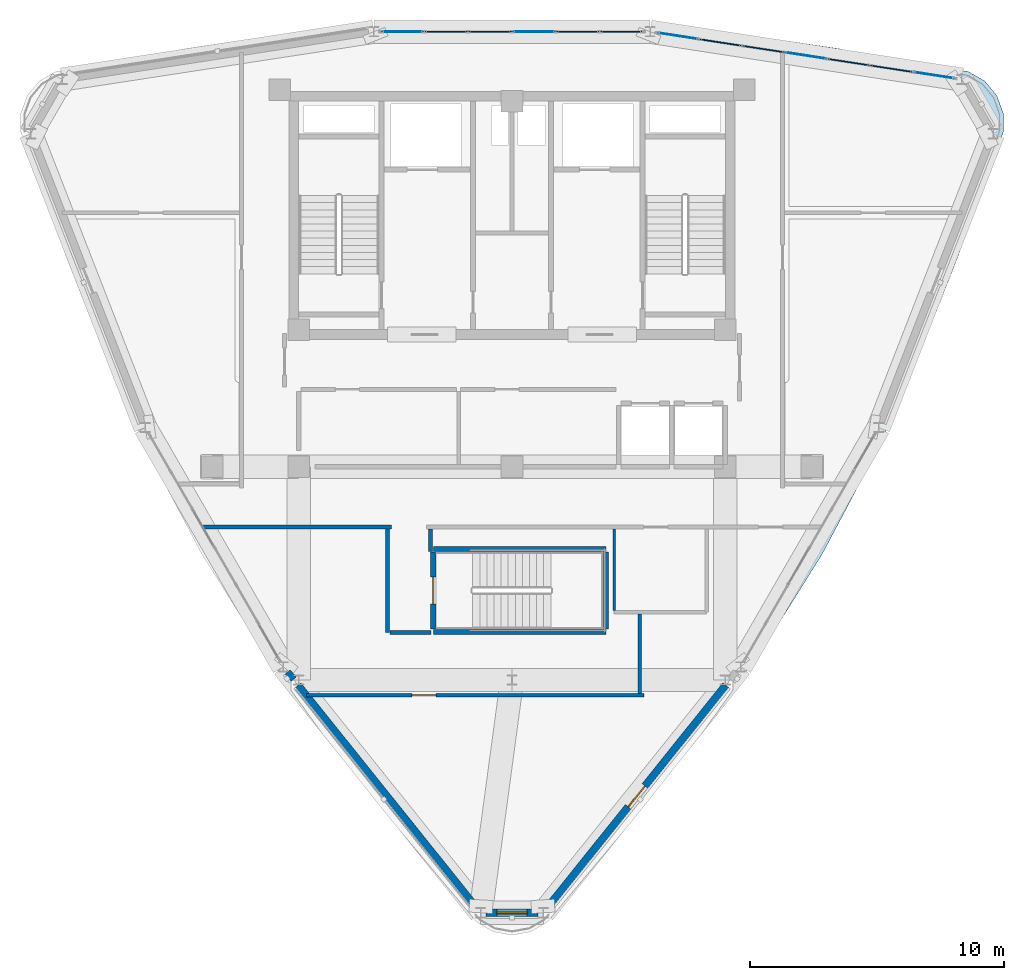
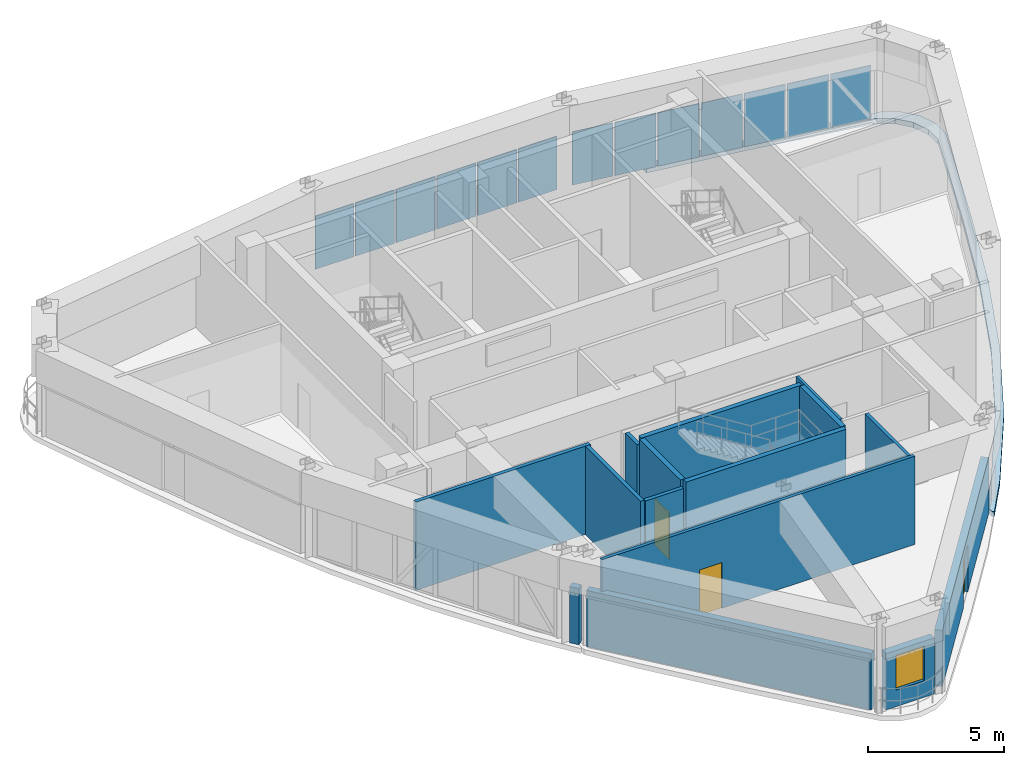
# One storey, part 12 of 16: 15 walls, 13 plates, 3 doors, 1 slab, 1 window, 4 openings, 2 elements without a shape of their own.
"""IFC4 building model written with IfcOpenShell, lengths in metres."""

from ifc_helpers import new_model, si_unit, derived_unit, direction, frame, frame_2d, origin, origin_2d, place, context, subcontext, project, spatial, polyline, rectangle, outline, extrude, source, transform, mapped, material, layer, layer_set, type_object, element, fill, aggregate, save


model = new_model("IFC4")

# Units and contexts
model_context = context("Model", 3, precision=1e-05, world=origin(), true_north=direction((0.0, 1.0)))
body_context = subcontext(model_context, "Body", "Model", "MODEL_VIEW")
ifc_project = project(units=[si_unit("LENGTHUNIT", "METRE"), si_unit("AREAUNIT", "SQUARE_METRE"), si_unit("VOLUMEUNIT", "CUBIC_METRE"), si_unit("PLANEANGLEUNIT", "RADIAN"), si_unit("MASSUNIT", "GRAM", prefix="KILO"), derived_unit("THERMALTRANSMITTANCEUNIT", [(si_unit("POWERUNIT", "WATT"), 1), (si_unit("LENGTHUNIT", "METRE"), -2), (si_unit("THERMODYNAMICTEMPERATUREUNIT", "KELVIN"), -1)])], contexts=[model_context])

# Site, building, storey
site_placement = place(None, origin())
site = spatial("IfcSite", under=ifc_project, at=site_placement, CompositionType="ELEMENT")
building_placement = place(site_placement, origin())
building = spatial("IfcBuilding", under=site, at=building_placement, Name="Korsvarv Bourse and Concert Hall", CompositionType="ELEMENT")
storey_placement = place(building_placement, frame((0.0, 0.0, 283.800048828125)))
storey = spatial("IfcBuildingStorey", under=building, at=storey_placement, Name="L74", CompositionType="ELEMENT", Elevation=283.800048828125)

# Slab
ifc_material_1 = material(Name="Concrete C45/55", Category="concrete")
ifc_layer_1 = layer(ifc_material_1, 0.22998046875)
ifc_layer_set_1 = layer_set([ifc_layer_1], Name="Concrete C45/55")
slab_type = type_object("IfcSlabType", Name="SLB-SKY", PredefinedType="FLOOR", material=ifc_layer_set_1)
slab_placement = place(storey_placement, frame((0.0, 0.0, -0.22998046875)))
element("IfcSlab", 1, at=slab_placement, inside=storey, type_object=slab_type, Name="L74 Crescent Sky Garden Terrace 2", PredefinedType="FLOOR", context=body_context, shape_type="SweptSolid", body=[
    extrude(outline(polyline([(45.72412109375, 25.58837890625), (45.724609375, 25.5888671875), (47.927734375, 29.1123046875), (47.92822265625, 29.11328125), (47.9287109375, 29.114013671875), (49.87841796875, 32.783935546875), (49.87890625, 32.78466796875), (49.879150390625, 32.785400390625), (51.59912109375, 36.599365234375), (51.59912109375, 36.599609375), (51.599609375, 36.6005859375), (53.14599609375, 40.534423828125), (53.146240234375, 40.53466796875), (53.146484375, 40.53515625), (54.602783203125, 44.546142578125), (54.90185546875, 45.367431640625), (54.902099609375, 45.367919921875), (54.90234375, 45.369384765625), (54.902587890625, 45.3701171875), (54.902587890625, 45.37158203125), (54.902587890625, 45.3720703125), (54.902587890625, 46.089599609375), (54.902587890625, 46.090087890625), (54.902587890625, 46.091552734375), (54.90234375, 46.092529296875), (54.902099609375, 46.09375), (54.90185546875, 46.094482421875), (54.656494140625, 46.7685546875), (54.65625, 46.76904296875), (54.655517578125, 46.770263671875), (54.655029296875, 46.77099609375), (54.654296875, 46.772216796875), (54.654052734375, 46.772705078125), (54.19287109375, 47.322265625), (54.1923828125, 47.32275390625), (54.19140625, 47.323486328125), (54.19091796875, 47.32421875), (54.189697265625, 47.324951171875), (54.189208984375, 47.3251953125), (53.56787109375, 47.68408203125), (53.5673828125, 47.684326171875), (53.566162109375, 47.684814453125), (53.565185546875, 47.685302734375), (53.56396484375, 47.685546875), (53.563232421875, 47.685791015625), (52.703369140625, 47.83740234375), (48.50048828125, 48.58154296875), (48.50048828125, 48.58154296875), (48.5, 48.581787109375), (44.751220703125, 49.14453125), (44.7451171875, 49.145751953125), (44.7392578125, 49.147705078125), (44.733642578125, 49.14990234375), (44.728515625, 49.153076171875), (44.723388671875, 49.156494140625), (44.71875, 49.160400390625), (44.714599609375, 49.164794921875), (44.710693359375, 49.169677734375), (44.70751953125, 49.1748046875), (44.704833984375, 49.18017578125), (44.702880859375, 49.185791015625), (44.701171875, 49.19189453125), (44.7001953125, 49.197998046875), (44.699951171875, 49.203857421875), (44.699951171875, 49.426513671875), (44.7001953125, 49.43212890625), (44.701171875, 49.437744140625), (44.702392578125, 49.443359375), (44.704345703125, 49.44873046875), (44.706787109375, 49.453857421875), (44.709716796875, 49.458984375), (44.712890625, 49.463623046875), (44.716796875, 49.468017578125), (44.720703125, 49.4716796875), (44.725341796875, 49.475341796875), (44.730224609375, 49.478515625), (44.7353515625, 49.48095703125), (44.740478515625, 49.483154296875), (44.74609375, 49.484619140625), (44.751708984375, 49.48583984375), (44.757568359375, 49.486328125), (44.76318359375, 49.486328125), (44.768798828125, 49.485595703125), (48.78955078125, 48.882080078125), (48.791259765625, 48.8818359375), (53.090576171875, 48.120361328125), (53.964111328125, 47.96630859375), (53.96923828125, 47.965087890625), (53.974365234375, 47.963623046875), (53.97900390625, 47.961669921875), (53.98388671875, 47.959228515625), (54.6083984375, 47.5986328125), (54.61279296875, 47.595703125), (54.616943359375, 47.592529296875), (54.620849609375, 47.589111328125), (54.62451171875, 47.585205078125), (55.088134765625, 47.032470703125), (55.09130859375, 47.0283203125), (55.093994140625, 47.02392578125), (55.096435546875, 47.019287109375), (55.098388671875, 47.014404296875), (55.34521484375, 46.336669921875), (55.346923828125, 46.331787109375), (55.347900390625, 46.326416015625), (55.3486328125, 46.3212890625), (55.348876953125, 46.316162109375), (55.348876953125, 45.5947265625), (55.3486328125, 45.589599609375), (55.347900390625, 45.58447265625), (55.346923828125, 45.5791015625), (55.34521484375, 45.57421875), (55.04150390625, 44.739990234375), (53.551513671875, 40.636474609375), (53.551025390625, 40.635009765625), (51.968994140625, 36.611083984375), (51.968017578125, 36.6083984375), (50.208984375, 32.707763671875), (50.207275390625, 32.7041015625), (48.213134765625, 28.951171875), (48.211181640625, 28.947509765625), (45.9580078125, 25.343994140625), (45.955810546875, 25.3408203125), (44.80859375, 23.74609375), (44.80517578125, 23.74169921875), (44.801025390625, 23.7373046875), (44.796630859375, 23.733642578125), (44.7919921875, 23.730224609375), (44.786865234375, 23.7275390625), (44.781494140625, 23.72509765625), (44.77587890625, 23.723388671875), (44.770263671875, 23.721923828125), (44.764404296875, 23.72119140625), (44.7587890625, 23.72119140625), (44.7529296875, 23.7216796875), (44.747314453125, 23.722412109375), (44.74169921875, 23.72412109375), (44.736083984375, 23.72607421875), (44.73095703125, 23.728759765625), (44.72607421875, 23.731689453125), (44.721435546875, 23.735107421875), (44.717041015625, 23.7392578125), (44.71337890625, 23.743408203125), (44.709716796875, 23.748291015625), (44.706787109375, 23.753173828125), (44.704345703125, 23.758544921875), (44.702392578125, 23.763916015625), (44.701171875, 23.76953125), (44.7001953125, 23.775390625), (44.699951171875, 23.78125), (44.699951171875, 24.145263671875), (44.7001953125, 24.151611328125), (44.701416015625, 24.15771484375), (44.702880859375, 24.163818359375), (44.705078125, 24.16943359375), (44.7080078125, 24.175048828125), (44.711181640625, 24.180419921875), (45.7236328125, 25.587646484375), (45.72412109375, 25.58837890625)])), origin(), (0.0, 0.0, 1.0), 0.22998046875),
])

# Curtain wall, plates
ifc_material_2 = material(Name="Anodised aluminium and triple low-E glazing", Category="glass")
ifc_layer_2 = layer(ifc_material_2, 0.18994140625)
ifc_layer_set_2 = layer_set([ifc_layer_2], Name="Anodised aluminium and triple low-E glazing")
curtain_wall_type = type_object("IfcCurtainWallType", Name="CW-SYS-4", PredefinedType="NOTDEFINED", material=ifc_layer_set_2)
curtain_wall_1_placement = place(storey_placement, origin())
curtain_wall_1 = element("IfcCurtainWall", 2, at=curtain_wall_1_placement, inside=storey, type_object=curtain_wall_type, Name="L74 CW4 curtain wall CW-L74-F02", PredefinedType="NOTDEFINED")
ifc_material_3 = material(Name="Insulated spandrel glass", Category="glass")
ifc_layer_3 = layer(ifc_material_3, 0.031982421875)
ifc_layer_set_3 = layer_set([ifc_layer_3], Name="Insulated spandrel glass")
plate_type_1 = type_object("IfcPlateType", Name="CWP-SPD1", PredefinedType="CURTAIN_PANEL", material=ifc_layer_set_3)
shared_shape_1 = source(origin(), body_context, "Body", "SweptSolid", [
    extrude(rectangle(XDim=1.596435546875, YDim=0.031982421875, at=origin_2d()), origin(), (0.0, 0.0, 1.0), 2.389892578125),
])
plate_1_placement = place(storey_placement, frame((52.60498046875, 47.8232421875, 0.06494140625), z_axis=(0.0, 0.0, 1.0), x_axis=(-0.988437220146, 0.151630675756, 0.0)))
plate_1 = element("IfcPlate", 3, at=plate_1_placement, type_object=plate_type_1, Name="CW4 spandrel shadow-box panel 1.1", PredefinedType="CURTAIN_PANEL", context=body_context, shape_type="MappedRepresentation", body=[
    mapped(shared_shape_1, transform((0.0, 0.0, 0.0), scale=1.0)),
])
plate_2_placement = place(storey_placement, frame((42.548583984375, 49.365966796875, 0.06494140625), z_axis=(0.0, 0.0, 1.0), x_axis=(-0.988437220146, 0.151630675756, 0.0)))
plate_2 = element("IfcPlate", 4, at=plate_2_placement, type_object=plate_type_1, Name="CW4 spandrel shadow-box panel 7.1", PredefinedType="CURTAIN_PANEL", context=body_context, shape_type="MappedRepresentation", body=[
    mapped(shared_shape_1, transform((0.0, 0.0, 0.0), scale=1.0)),
])
ifc_material_4 = material(Name="Tempered triple insulated low-E architectural glass", Category="glass")
ifc_layer_4 = layer(ifc_material_4, 0.0419921875)
ifc_layer_set_4 = layer_set([ifc_layer_4], Name="Tempered triple insulated low-E architectural glass")
plate_type_2 = type_object("IfcPlateType", Name="CWP-VIS3", PredefinedType="CURTAIN_PANEL", material=ifc_layer_set_4)
shared_shape_2 = source(origin(), body_context, "Body", "SweptSolid", [
    extrude(rectangle(XDim=1.631591796875, YDim=0.0419921875, at=origin_2d()), origin(), (0.0, 0.0, 1.0), 2.389892578125),
])
plate_3_placement = place(storey_placement, frame((50.9404296875, 48.07861328125, 0.06494140625), z_axis=(0.0, 0.0, 1.0), x_axis=(-0.988437220146, 0.151630675756, 0.0)))
plate_3 = element("IfcPlate", 5, at=plate_3_placement, type_object=plate_type_2, Name="CW4 faceted panel 2.1", PredefinedType="CURTAIN_PANEL", context=body_context, shape_type="MappedRepresentation", body=[
    mapped(shared_shape_2, transform((0.0, 0.0, 0.0), scale=1.0)),
])
plate_4_placement = place(storey_placement, frame((49.258544921875, 48.33642578125, 0.06494140625), z_axis=(0.0, 0.0, 1.0), x_axis=(-0.988437220146, 0.151630675756, 0.0)))
plate_4 = element("IfcPlate", 6, at=plate_4_placement, type_object=plate_type_2, Name="CW4 faceted panel 3.1", PredefinedType="CURTAIN_PANEL", context=body_context, shape_type="MappedRepresentation", body=[
    mapped(shared_shape_2, transform((0.0, 0.0, 0.0), scale=1.0)),
])
plate_5_placement = place(storey_placement, frame((45.89501953125, 48.8525390625, 0.06494140625), z_axis=(0.0, 0.0, 1.0), x_axis=(-0.988437220146, 0.151630675756, 0.0)))
plate_5 = element("IfcPlate", 7, at=plate_5_placement, type_object=plate_type_2, Name="CW4 faceted panel 5.1", PredefinedType="CURTAIN_PANEL", context=body_context, shape_type="MappedRepresentation", body=[
    mapped(shared_shape_2, transform((0.0, 0.0, 0.0), scale=1.0)),
])
plate_6_placement = place(storey_placement, frame((44.213134765625, 49.110595703125, 0.06494140625), z_axis=(0.0, 0.0, 1.0), x_axis=(-0.988437220146, 0.151630675756, 0.0)))
plate_6 = element("IfcPlate", 8, at=plate_6_placement, type_object=plate_type_2, Name="CW4 faceted panel 6.1", PredefinedType="CURTAIN_PANEL", context=body_context, shape_type="MappedRepresentation", body=[
    mapped(shared_shape_2, transform((0.0, 0.0, 0.0), scale=1.0)),
])
shared_shape_3 = source(origin(), body_context, "Body", "SweptSolid", [
    extrude(rectangle(XDim=1.631591796875, YDim=0.031982421875, at=origin_2d()), origin(), (0.0, 0.0, 1.0), 2.389892578125),
])
plate_7_placement = place(storey_placement, frame((47.576904296875, 48.594482421875, 0.06494140625), z_axis=(0.0, 0.0, 1.0), x_axis=(-0.988437220146, 0.151630675756, 0.0)))
plate_7 = element("IfcPlate", 9, at=plate_7_placement, type_object=plate_type_1, Name="CW4 spandrel shadow-box panel 4.1", PredefinedType="CURTAIN_PANEL", context=body_context, shape_type="MappedRepresentation", body=[
    mapped(shared_shape_3, transform((0.0, 0.0, 0.0), scale=1.0)),
])
aggregate(curtain_wall_1, [plate_1, plate_3, plate_4, plate_7, plate_5, plate_6, plate_2])

curtain_wall_2_placement = place(storey_placement, origin())
curtain_wall_2 = element("IfcCurtainWall", 10, at=curtain_wall_2_placement, inside=storey, type_object=curtain_wall_type, Name="L74 CW4 curtain wall CW-L74-F03", PredefinedType="NOTDEFINED")
shared_shape_4 = source(origin(), body_context, "Body", "SweptSolid", [
    extrude(rectangle(XDim=1.624755859375, YDim=0.0419921875, at=origin_2d()), origin(), (0.0, 0.0, 1.0), 2.389892578125),
])
plate_8_placement = place(storey_placement, frame((40.306884765625, 49.535888671875, 0.06494140625), z_axis=(0.0, 0.0, 1.0), x_axis=(-1.0, 0.0, 0.0)))
plate_8 = element("IfcPlate", 11, at=plate_8_placement, type_object=plate_type_2, Name="CW4 faceted panel 1.1", PredefinedType="CURTAIN_PANEL", context=body_context, shape_type="MappedRepresentation", body=[
    mapped(shared_shape_4, transform((0.0, 0.0, 0.0), scale=1.0)),
])
shared_shape_5 = source(origin(), body_context, "Body", "SweptSolid", [
    extrude(rectangle(XDim=1.659912109375, YDim=0.0419921875, at=origin_2d()), origin(), (0.0, 0.0, 1.0), 2.389892578125),
])
plate_9_placement = place(storey_placement, frame((38.5947265625, 49.535888671875, 0.06494140625), z_axis=(0.0, 0.0, 1.0), x_axis=(-1.0, 0.0, 0.0)))
plate_9 = element("IfcPlate", 12, at=plate_9_placement, type_object=plate_type_2, Name="CW4 faceted panel 2.1", PredefinedType="CURTAIN_PANEL", context=body_context, shape_type="MappedRepresentation", body=[
    mapped(shared_shape_5, transform((0.0, 0.0, 0.0), scale=1.0)),
])
plate_10_placement = place(storey_placement, frame((35.135009765625, 49.535888671875, 0.06494140625), z_axis=(0.0, 0.0, 1.0), x_axis=(-1.0, 0.0, 0.0)))
plate_10 = element("IfcPlate", 13, at=plate_10_placement, type_object=plate_type_2, Name="CW4 faceted panel 4.1", PredefinedType="CURTAIN_PANEL", context=body_context, shape_type="MappedRepresentation", body=[
    mapped(shared_shape_5, transform((0.0, 0.0, 0.0), scale=1.0)),
])
plate_11_placement = place(storey_placement, frame((33.4052734375, 49.535888671875, 0.06494140625), z_axis=(0.0, 0.0, 1.0), x_axis=(-1.0, 0.0, 0.0)))
plate_11 = element("IfcPlate", 14, at=plate_11_placement, type_object=plate_type_2, Name="CW4 faceted panel 5.1", PredefinedType="CURTAIN_PANEL", context=body_context, shape_type="MappedRepresentation", body=[
    mapped(shared_shape_5, transform((0.0, 0.0, 0.0), scale=1.0)),
])
shared_shape_6 = source(origin(), body_context, "Body", "SweptSolid", [
    extrude(rectangle(XDim=1.659912109375, YDim=0.031982421875, at=origin_2d()), origin(), (0.0, 0.0, 1.0), 2.389892578125),
])
plate_12_placement = place(storey_placement, frame((36.864990234375, 49.535888671875, 0.06494140625), z_axis=(0.0, 0.0, 1.0), x_axis=(-1.0, 0.0, 0.0)))
plate_12 = element("IfcPlate", 15, at=plate_12_placement, type_object=plate_type_1, Name="CW4 spandrel shadow-box panel 3.1", PredefinedType="CURTAIN_PANEL", context=body_context, shape_type="MappedRepresentation", body=[
    mapped(shared_shape_6, transform((0.0, 0.0, 0.0), scale=1.0)),
])
shared_shape_7 = source(origin(), body_context, "Body", "SweptSolid", [
    extrude(rectangle(XDim=1.624755859375, YDim=0.031982421875, at=origin_2d()), origin(), (0.0, 0.0, 1.0), 2.389892578125),
])
plate_13_placement = place(storey_placement, frame((31.693115234375, 49.535888671875, 0.06494140625), z_axis=(0.0, 0.0, 1.0), x_axis=(-1.0, 0.0, 0.0)))
plate_13 = element("IfcPlate", 16, at=plate_13_placement, type_object=plate_type_1, Name="CW4 spandrel shadow-box panel 6.1", PredefinedType="CURTAIN_PANEL", context=body_context, shape_type="MappedRepresentation", body=[
    mapped(shared_shape_7, transform((0.0, 0.0, 0.0), scale=1.0)),
])
aggregate(curtain_wall_2, [plate_8, plate_9, plate_12, plate_10, plate_11, plate_13])

# Walls
ifc_material_5 = material(Name="Concrete C50/60", Category="concrete")
ifc_layer_5 = layer(ifc_material_5, 0.3798828125)
ifc_layer_set_5 = layer_set([ifc_layer_5], Name="Concrete C50/60")
wall_type_1 = type_object("IfcWallType", Name="WL-CORE-380", PredefinedType="SHEAR", material=ifc_layer_set_5)
for number, where, z_axis, x_axis, name in (
    (17, (32.89990234375, 29.159912109375, 0.0), (0.0, 0.0, 1.0), (1.0, 0.0, 0.0), "L74 Lookout Stair North Bearing Wall"),
    (18, (32.89990234375, 25.89990234375, 0.0), (0.0, 0.0, 1.0), (1.0, 0.0, 0.0), "L74 Lookout Stair South Bearing Wall"),
):
    element("IfcWall", number, at=place(storey_placement, frame(where, z_axis=z_axis, x_axis=x_axis)), inside=storey, type_object=wall_type_1, Name=name, PredefinedType="SHEAR", context=body_context, shape_type="SweptSolid", body=[
        extrude(rectangle(XDim=6.800048828125, YDim=0.199951171875, at=frame_2d((3.39990234375, 0.0))), origin(), (0.0, 0.0, 1.0), 4.199951171875),
    ])
wall_1_placement = place(storey_placement, frame((39.699951171875, 26.02001953125, 0.0), z_axis=(0.0, 0.0, 1.0), x_axis=(0.0, 1.0, 0.0)))
element("IfcWall", 19, at=wall_1_placement, inside=storey, type_object=wall_type_1, Name="L74 Lookout Stair East Bearing Wall", PredefinedType="SHEAR", context=body_context, shape_type="SweptSolid", body=[
    extrude(rectangle(XDim=3.02001953125, YDim=0.199951171875, at=frame_2d((1.510009765625, 0.0))), origin(), (0.0, 0.0, 1.0), 4.199951171875),
])

# Wall, opening, door
wall_2_placement = place(storey_placement, frame((32.89990234375, 26.02001953125, 0.0), z_axis=(0.0, 0.0, 1.0), x_axis=(0.0, 1.0, 0.0)))
wall_2 = element("IfcWall", 20, at=wall_2_placement, inside=storey, type_object=wall_type_1, Name="L74 stair shaft structural wall W-L74-STLK-W", PredefinedType="SHEAR", context=body_context, shape_type="SweptSolid", body=[
    extrude(rectangle(XDim=3.02001953125, YDim=0.199951171875, at=frame_2d((1.510009765625, 0.0))), origin(), (0.0, 0.0, 1.0), 4.199951171875),
])
opening_1_placement = place(wall_2_placement, frame((0.97998046875, 0.0, 0.0)))
opening_1 = element("IfcOpeningElement", 21, at=opening_1_placement, cuts=wall_2, Name="Opening D-01", PredefinedType="OPENING", context=body_context, shape_type="SweptSolid", body=[
    extrude(rectangle(XDim=1.050048828125, YDim=2.10009765625, at=frame_2d((0.52490234375, 1.050048828125))), frame((0.0, 0.10986328125, 0.0), z_axis=(0.0, -1.0, 0.0), x_axis=(1.0, 0.0, 0.0)), (0.0, 0.0, 1.0), 0.219970703125),
])
ifc_material_6 = material(Name="Steel S355 fire door", Category="steel")
door_type_1 = type_object("IfcDoorType", Name="DR-FD60", OperationType="NOTDEFINED", PredefinedType="DOOR", material=ifc_material_6)
door_1_placement = place(opening_1_placement, frame((1.050048828125, 0.0, 0.0), z_axis=(0.0, 0.0, 1.0), x_axis=(-1.0, 0.0, 0.0)))
door_1 = element("IfcDoor", 22, at=door_1_placement, inside=storey, type_object=door_type_1, Name="L74 interior door DR-L74-STLK", OperationType="SINGLE_SWING_LEFT", OverallHeight=2.10009765625, OverallWidth=1.050048828125, PredefinedType="DOOR", context=body_context, shape_type="SweptSolid", body=[
    extrude(rectangle(XDim=1.050048828125, YDim=2.10009765625, at=frame_2d((0.52490234375, 1.050048828125))), frame((0.0, 0.02490234375, 0.0), z_axis=(0.0, -1.0, 0.0), x_axis=(1.0, 0.0, 0.0)), (0.0, 0.0, 1.0), 0.050048828125),
])
fill(opening_1, door_1)

# Wall, opening, window
ifc_material_7 = material(Name="Precast concrete C45/55 with terracotta rainscreen", Category="concrete")
ifc_layer_6 = layer(ifc_material_7, 0.300048828125)
ifc_layer_set_6 = layer_set([ifc_layer_6], Name="Precast concrete C45/55 with terracotta rainscreen")
wall_type_2 = type_object("IfcWallType", Name="WL-EXT-TC1", PredefinedType="SOLIDWALL", material=ifc_layer_set_6)
wall_3_placement = place(storey_placement, frame((34.970458984375, 14.8330078125, 0.0), z_axis=(0.0, 0.0, 1.0), x_axis=(1.0, 0.0, 0.0)))
wall_3 = element("IfcWall", 23, at=wall_3_placement, inside=storey, type_object=wall_type_2, Name="L74 terracotta exterior wall EW-L74-B09", PredefinedType="SOLIDWALL", context=body_context, shape_type="SweptSolid", body=[
    extrude(rectangle(XDim=2.05908203125, YDim=0.300048828125, at=frame_2d((1.029541015625, 0.0))), origin(), (0.0, 0.0, 1.0), 2.52001953125),
])
opening_2_placement = place(wall_3_placement, frame((0.429443359375, 0.0, 0.75)))
opening_2 = element("IfcOpeningElement", 24, at=opening_2_placement, cuts=wall_3, Name="Opening W-16", PredefinedType="OPENING", context=body_context, shape_type="SweptSolid", body=[
    extrude(rectangle(XDim=1.199951171875, YDim=1.550048828125, at=frame_2d((0.60009765625, 0.77490234375))), frame((0.0, 0.16015625, 0.0), z_axis=(0.0, -1.0, 0.0), x_axis=(1.0, 0.0, 0.0)), (0.0, 0.0, 1.0), 0.320068359375),
])
ifc_material_8 = material(Name="Thermally broken aluminium frame with triple low-E glass", Category="glass")
window_type = type_object("IfcWindowType", Name="WIN-TW2-1200X1550", PartitioningType="SINGLE_PANEL", PredefinedType="WINDOW", material=ifc_material_8)
window_placement = place(opening_2_placement, origin())
window = element("IfcWindow", 25, at=window_placement, inside=storey, type_object=window_type, Name="L74 punched facade window W-16", OverallHeight=1.550048828125, OverallWidth=1.199951171875, PartitioningType="SINGLE_PANEL", PredefinedType="WINDOW", context=body_context, shape_type="SweptSolid", body=[
    extrude(rectangle(XDim=1.199951171875, YDim=1.550048828125, at=frame_2d((0.60009765625, 0.77490234375))), frame((0.0, 0.030029296875, 0.0), z_axis=(0.0, -1.0, 0.0), x_axis=(1.0, 0.0, 0.0)), (0.0, 0.0, 1.0), 0.06005859375),
])
fill(opening_2, window)

# Wall, opening, door
wall_4_placement = place(storey_placement, frame((37.39892578125, 15.037353515625, 0.0), z_axis=(0.0, 0.0, 1.0), x_axis=(0.625538111049, 0.780193611628, 0.0)))
wall_4 = element("IfcWall", 26, at=wall_4_placement, inside=storey, type_object=wall_type_2, Name="L74 terracotta exterior wall EW-L74-B10-1", PredefinedType="SOLIDWALL", context=body_context, shape_type="SweptSolid", body=[
    extrude(rectangle(XDim=11.2255859375, YDim=0.300048828125, at=frame_2d((5.61279296875, 0.0))), origin(), (0.0, 0.0, 1.0), 2.52001953125),
])
opening_3_placement = place(wall_4_placement, frame((5.087646484375, 0.0, 0.0)))
opening_3 = element("IfcOpeningElement", 27, at=opening_3_placement, cuts=wall_4, Name="Opening ED-02", PredefinedType="OPENING", context=body_context, shape_type="SweptSolid", body=[
    extrude(rectangle(XDim=1.050048828125, YDim=2.10009765625, at=frame_2d((0.52490234375, 1.050048828125))), frame((0.0, 0.16015625, 0.0), z_axis=(0.0, -1.0, 0.0), x_axis=(1.0, 0.0, 0.0)), (0.0, 0.0, 1.0), 0.320068359375),
])
ifc_material_9 = material(Name="Thermally broken anodised aluminium and laminated safety glass", Category="aluminium")
door_type_2 = type_object("IfcDoorType", Name="DR-EXT-TERR", OperationType="NOTDEFINED", PredefinedType="DOOR", material=ifc_material_9)
door_2_placement = place(opening_3_placement, frame((1.050048828125, 0.0, 0.0), z_axis=(0.0, 0.0, 1.0), x_axis=(-1.0, 0.0, 0.0)))
door_2 = element("IfcDoor", 28, at=door_2_placement, inside=storey, type_object=door_type_2, Name="L74 Sky Garden Terrace Access Door", OperationType="SINGLE_SWING_LEFT", OverallHeight=2.10009765625, OverallWidth=1.050048828125, PredefinedType="DOOR", context=body_context, shape_type="SweptSolid", body=[
    extrude(rectangle(XDim=1.050048828125, YDim=2.10009765625, at=frame_2d((0.52490234375, 1.050048828125))), frame((0.0, 0.02490234375, 0.0), z_axis=(0.0, -1.0, 0.0), x_axis=(1.0, 0.0, 0.0)), (0.0, 0.0, 1.0), 0.050048828125),
])
fill(opening_3, door_2)

# Walls
ifc_material_10 = material(Name="Precast concrete C45/55 with fluted terracotta pier", Category="concrete")
ifc_layer_7 = layer(ifc_material_10, 0.280029296875)
ifc_layer_set_7 = layer_set([ifc_layer_7], Name="Precast concrete C45/55 with fluted terracotta pier")
wall_type_3 = type_object("IfcWallType", Name="WL-EXT-TC2", PredefinedType="SOLIDWALL", material=ifc_layer_set_7)
wall_5_placement = place(storey_placement, frame((27.16162109375, 24.31640625, 0.0), z_axis=(0.0, 0.0, 1.0), x_axis=(0.625494298598, -0.780228737244, 0.0)))
element("IfcWall", 29, at=wall_5_placement, inside=storey, type_object=wall_type_3, Name="L74 terracotta exterior wall EW-L74-B08-1", PredefinedType="SOLIDWALL", context=body_context, shape_type="SweptSolid", body=[
    extrude(rectangle(XDim=0.372314453125, YDim=0.280029296875, at=frame_2d((0.18603515625, 0.0))), origin(), (0.0, 0.0, 1.0), 2.52001953125),
])
wall_6_placement = place(storey_placement, frame((27.5791015625, 23.79541015625, 0.0), z_axis=(0.0, 0.0, 1.0), x_axis=(0.625538111049, -0.780193611628, 0.0)))
element("IfcWall", 30, at=wall_6_placement, inside=storey, type_object=wall_type_3, Name="L74 terracotta exterior wall EW-L74-B08-2", PredefinedType="SOLIDWALL", context=body_context, shape_type="SweptSolid", body=[
    extrude(rectangle(XDim=11.2255859375, YDim=0.280029296875, at=frame_2d((5.61279296875, 0.0))), origin(), (0.0, 0.0, 1.0), 2.52001953125),
])
ifc_material_11 = material(Name="Double-stud fire-rated acoustic partition", Category="gypsum")
ifc_layer_8 = layer(ifc_material_11, 0.159912109375)
ifc_layer_set_8 = layer_set([ifc_layer_8], Name="Double-stud fire-rated acoustic partition")
wall_type_4 = type_object("IfcWallType", Name="WL-INT-EI60", PredefinedType="PARTITIONING", material=ifc_layer_set_8)
wall_7_placement = place(storey_placement, frame((23.839599609375, 30.02490234375, 0.0), z_axis=(0.0, 0.0, 1.0), x_axis=(1.0, 0.0, 0.0)))
element("IfcWall", 31, at=wall_7_placement, inside=storey, type_object=wall_type_4, Name="L74 interior partition wall W-L74-LKCOR-04", PredefinedType="PARTITIONING", context=body_context, shape_type="SweptSolid", body=[
    extrude(rectangle(XDim=7.42041015625, YDim=0.159912109375, at=frame_2d((3.710205078125, 0.0))), origin(), (0.0, 0.0, 1.0), 3.9599609375),
])
wall_8_placement = place(storey_placement, frame((31.10498046875, 25.8701171875, 0.0), z_axis=(0.0, 0.0, 1.0), x_axis=(0.0, 1.0, 0.0)))
element("IfcWall", 32, at=wall_8_placement, inside=storey, type_object=wall_type_4, Name="L74 interior partition wall W-L74-LKCOR-05", PredefinedType="PARTITIONING", context=body_context, shape_type="SweptSolid", body=[
    extrude(rectangle(XDim=4.072998046875, YDim=0.159912109375, at=frame_2d((2.03662109375, 0.0))), origin(), (0.0, 0.0, 1.0), 3.9599609375),
])
wall_9_placement = place(storey_placement, frame((31.18701171875, 25.875, 0.0), z_axis=(0.0, 0.0, 1.0), x_axis=(1.0, 0.0, 0.0)))
element("IfcWall", 33, at=wall_9_placement, inside=storey, type_object=wall_type_4, Name="L74 interior partition wall W-L74-LKCOR-08", PredefinedType="PARTITIONING", context=body_context, shape_type="SweptSolid", body=[
    extrude(rectangle(XDim=1.613037109375, YDim=0.159912109375, at=frame_2d((0.806640625, 0.0))), origin(), (0.0, 0.0, 1.0), 3.9599609375),
])
wall_10_placement = place(storey_placement, frame((32.794921875, 29.070068359375, 0.0), z_axis=(0.0, 0.0, 1.0), x_axis=(0.0, 1.0, 0.0)))
element("IfcWall", 34, at=wall_10_placement, inside=storey, type_object=wall_type_4, Name="L74 interior partition wall W-L74-LKCOR-09", PredefinedType="PARTITIONING", context=body_context, shape_type="SweptSolid", body=[
    extrude(rectangle(XDim=0.873046875, YDim=0.159912109375, at=frame_2d((0.4365234375, 0.0))), origin(), (0.0, 0.0, 1.0), 3.9599609375),
])
ifc_material_12 = material(Name="Demountable acoustic glass and aluminium dealing partition", Category="aluminium")
ifc_layer_9 = layer(ifc_material_12, 0.110107421875)
ifc_layer_set_9 = layer_set([ifc_layer_9], Name="Demountable acoustic glass and aluminium dealing partition")
wall_type_5 = type_object("IfcWallType", Name="WL-INT-MOV", PredefinedType="MOVABLE", material=ifc_layer_set_9)
wall_11_placement = place(storey_placement, frame((40.02490234375, 26.7470703125, 0.0), z_axis=(0.0, 0.0, 1.0), x_axis=(0.0, 1.0, 0.0)))
element("IfcWall", 35, at=wall_11_placement, inside=storey, type_object=wall_type_5, Name="L74 interior partition wall W-L74-LKCOR-14", PredefinedType="MOVABLE", context=body_context, shape_type="SweptSolid", body=[
    extrude(rectangle(XDim=3.196044921875, YDim=0.110107421875, at=frame_2d((1.59814453125, 0.0))), origin(), (0.0, 0.0, 1.0), 3.9599609375),
])

# Wall, opening, door
ifc_material_13 = material(Name="Insulated steel-stud office acoustic partition", Category="gypsum")
ifc_layer_10 = layer(ifc_material_13, 0.139892578125)
ifc_layer_set_10 = layer_set([ifc_layer_10], Name="Insulated steel-stud office acoustic partition")
wall_type_6 = type_object("IfcWallType", Name="WL-INT-P1", PredefinedType="PARTITIONING", material=ifc_layer_set_10)
wall_12_placement = place(storey_placement, frame((27.912353515625, 23.405029296875, 0.0), z_axis=(0.0, 0.0, 1.0), x_axis=(1.0, 0.0, 0.0)))
wall_12 = element("IfcWall", 36, at=wall_12_placement, inside=storey, type_object=wall_type_6, Name="L74 interior partition wall W-L74-LKCOR-10", PredefinedType="PARTITIONING", context=body_context, shape_type="SweptSolid", body=[
    extrude(rectangle(XDim=13.277587890625, YDim=0.139892578125, at=frame_2d((6.638671875, 0.0))), origin(), (0.0, 0.0, 1.0), 3.9599609375),
])
opening_4_placement = place(wall_12_placement, frame((4.14501953125, 0.0, 0.0)))
opening_4 = element("IfcOpeningElement", 37, at=opening_4_placement, cuts=wall_12, Name="Opening D-03", PredefinedType="OPENING", context=body_context, shape_type="SweptSolid", body=[
    extrude(rectangle(XDim=0.949951171875, YDim=2.050048828125, at=frame_2d((0.47509765625, 1.02490234375))), frame((0.0, 0.080078125, 0.0), z_axis=(0.0, -1.0, 0.0), x_axis=(1.0, 0.0, 0.0)), (0.0, 0.0, 1.0), 0.159912109375),
])
ifc_material_14 = material(Name="Nordic oak acoustic office door", Category="wood")
door_type_3 = type_object("IfcDoorType", Name="DR-INT-1", OperationType="NOTDEFINED", PredefinedType="DOOR", material=ifc_material_14)
door_3_placement = place(opening_4_placement, origin())
door_3 = element("IfcDoor", 38, at=door_3_placement, inside=storey, type_object=door_type_3, Name="L74 interior door DR-L74-LKCOR-LKS24", OperationType="SINGLE_SWING_RIGHT", OverallHeight=2.050048828125, OverallWidth=0.949951171875, PredefinedType="DOOR", context=body_context, shape_type="SweptSolid", body=[
    extrude(rectangle(XDim=0.949951171875, YDim=2.050048828125, at=frame_2d((0.47509765625, 1.02490234375))), frame((0.0, 0.02490234375, 0.0), z_axis=(0.0, -1.0, 0.0), x_axis=(1.0, 0.0, 0.0)), (0.0, 0.0, 1.0), 0.050048828125),
])
fill(opening_4, door_3)

# Wall
wall_13_placement = place(storey_placement, frame((41.034912109375, 23.47705078125, 0.0), z_axis=(0.0, 0.0, 1.0), x_axis=(0.0, 1.0, 0.0)))
element("IfcWall", 39, at=wall_13_placement, inside=storey, type_object=wall_type_6, Name="L74 interior partition wall W-L74-LKCOR-16", PredefinedType="PARTITIONING", context=body_context, shape_type="SweptSolid", body=[
    extrude(rectangle(XDim=3.1259765625, YDim=0.139892578125, at=frame_2d((1.56298828125, 0.0))), origin(), (0.0, 0.0, 1.0), 3.9599609375),
])

save(model, "model.ifc")
